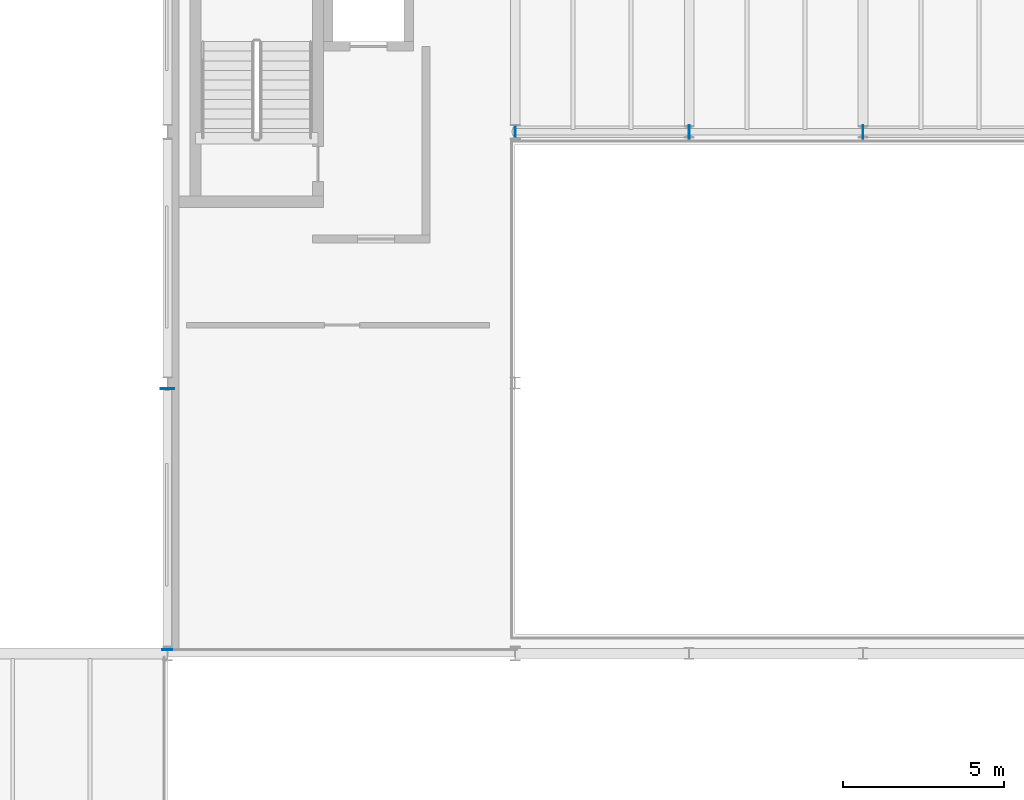
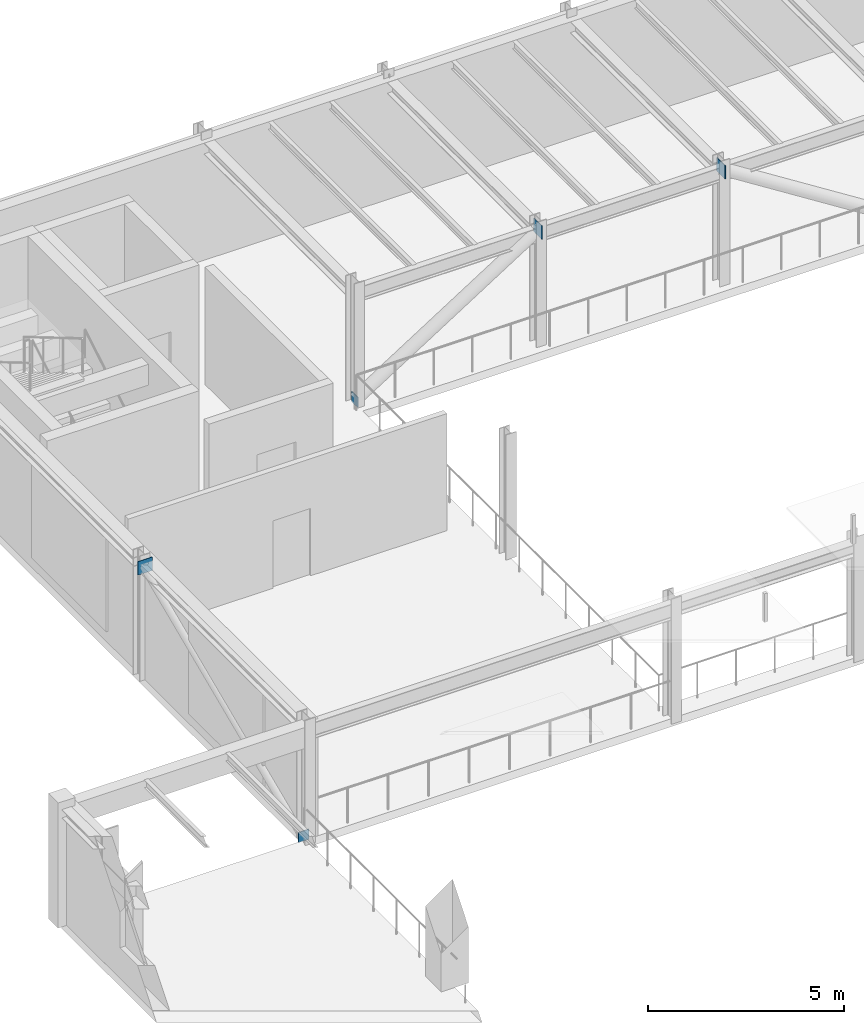
# One storey, part 17 of 44: 5 plates.
"""IFC4 building model written with IfcOpenShell, lengths in metres."""

from ifc_helpers import new_model, si_unit, direction, frame, origin, origin_2d, place, context, subcontext, project, spatial, rectangle, extrude, material, layer, layer_set, type_object, element, save


model = new_model("IFC4")

# Units and contexts
model_context = context("Model", 3, precision=1e-05, world=origin(), true_north=direction((0.0, 1.0)))
body_context = subcontext(model_context, "Body", "Model", "MODEL_VIEW")
ifc_project = project(units=[si_unit("LENGTHUNIT", "METRE"), si_unit("AREAUNIT", "SQUARE_METRE"), si_unit("VOLUMEUNIT", "CUBIC_METRE"), si_unit("PLANEANGLEUNIT", "RADIAN"), si_unit("MASSUNIT", "GRAM", prefix="KILO")], contexts=[model_context])

# Site, building, storey
site_placement = place(None, origin())
site = spatial("IfcSite", under=ifc_project, at=site_placement, CompositionType="ELEMENT")
building_placement = place(site_placement, origin())
building = spatial("IfcBuilding", under=site, at=building_placement, Name="Tazoul Stagehouse", CompositionType="ELEMENT")
storey_placement = place(building_placement, frame((0.0, 0.0, 13.199951171875)))
storey = spatial("IfcBuildingStorey", under=building, at=storey_placement, Name="L03", CompositionType="ELEMENT", Elevation=13.199951171875)

# Plates
ifc_material = material(Name="Steel S355", Category="steel")
ifc_layer_1 = layer(ifc_material, 0.02001953125, Name="Steel S355")
ifc_layer_set_1 = layer_set([ifc_layer_1], Name="Steel S355")
plate_type_1 = type_object("IfcPlateType", Name="Steel Brace End-Cap Plate 320x320x20", PredefinedType="USERDEFINED", material=ifc_layer_set_1)
plate_1_placement = place(storey_placement, frame((68.39990234375, 104.0, -0.0400390625), z_axis=(0.0, 0.0, 1.0), x_axis=(1.0, 0.0, 0.0)))
element("IfcPlate", 1, at=plate_1_placement, inside=storey, type_object=plate_type_1, Name="L03 Gusset End-Cap Plate GP-01 (BR-FT-L03-IN1-1)", ObjectType="GUSSET PLATE", PredefinedType="USERDEFINED", context=body_context, shape_type="SweptSolid", body=[
    extrude(rectangle(XDim=0.02001953125, YDim=0.320068359375, at=origin_2d()), origin(), (0.0, 0.0, 1.0), 0.320068359375),
])
ifc_layer_2 = layer(ifc_material, 0.02001953125, Name="Steel S355")
ifc_layer_set_2 = layer_set([ifc_layer_2], Name="Steel S355")
plate_type_2 = type_object("IfcPlateType", Name="Steel Brace End-Cap Plate 320x320x20 (Exterior)", PredefinedType="USERDEFINED", material=ifc_layer_set_2)
plate_2_placement = place(storey_placement, frame((57.60009765625, 87.919921875, -0.10986328125), z_axis=(0.0, 0.0, 1.0), x_axis=(0.0, 1.0, 0.0)))
element("IfcPlate", 2, at=plate_2_placement, inside=storey, type_object=plate_type_2, Name="L03 Gusset End-Cap Plate GP-01E (BR-FT-L03-W1-1)", ObjectType="GUSSET PLATE", PredefinedType="USERDEFINED", context=body_context, shape_type="SweptSolid", body=[
    extrude(rectangle(XDim=0.02001953125, YDim=0.320068359375, at=origin_2d()), origin(), (0.0, 0.0, 1.0), 0.320068359375),
])
ifc_layer_3 = layer(ifc_material, 0.02392578125, Name="Steel S355")
ifc_layer_set_3 = layer_set([ifc_layer_3], Name="Steel S355")
plate_type_3 = type_object("IfcPlateType", Name="Steel Gusset Node Plate 420x420x24", PredefinedType="USERDEFINED", material=ifc_layer_set_3)
for number, where, z_axis, x_axis, name in (
    (3, (73.800048828125, 104.0, 3.340087890625), (0.0, 0.0, 1.0), (1.0, 0.0, 0.0), "L03 Gusset End-Cap Plate GP-02 (BR-FT-L03-IN1-2)"),
    (4, (79.199951171875, 104.0, 3.340087890625), (0.0, 0.0, 1.0), (-1.0, 0.0, 0.0), "L03 Gusset End-Cap Plate GP-02 (BR-FT-L03-IN2-2)"),
):
    element("IfcPlate", number, at=place(storey_placement, frame(where, z_axis=z_axis, x_axis=x_axis)), inside=storey, type_object=plate_type_3, Name=name, ObjectType="GUSSET PLATE", PredefinedType="USERDEFINED", context=body_context, shape_type="SweptSolid", body=[
        extrude(rectangle(XDim=0.02392578125, YDim=0.419921875, at=origin_2d()), origin(), (0.0, 0.0, 1.0), 0.419921875),
    ])
ifc_layer_4 = layer(ifc_material, 0.02392578125, Name="Steel S355")
ifc_layer_set_4 = layer_set([ifc_layer_4], Name="Steel S355")
plate_type_4 = type_object("IfcPlateType", Name="Steel Gusset Node Plate 420x420x24 (Exterior)", PredefinedType="USERDEFINED", material=ifc_layer_set_4)
plate_3_placement = place(storey_placement, frame((57.60009765625, 96.02001953125, 3.340087890625), z_axis=(0.0, 0.0, 1.0), x_axis=(0.0, 1.0, 0.0)))
element("IfcPlate", 5, at=plate_3_placement, inside=storey, type_object=plate_type_4, Name="L03 Gusset End-Cap Plate GP-02E (BR-FT-L03-W1-2)", ObjectType="GUSSET PLATE", PredefinedType="USERDEFINED", context=body_context, shape_type="SweptSolid", body=[
    extrude(rectangle(XDim=0.02392578125, YDim=0.419921875, at=origin_2d()), origin(), (0.0, 0.0, 1.0), 0.419921875),
])

save(model, "model.ifc")
